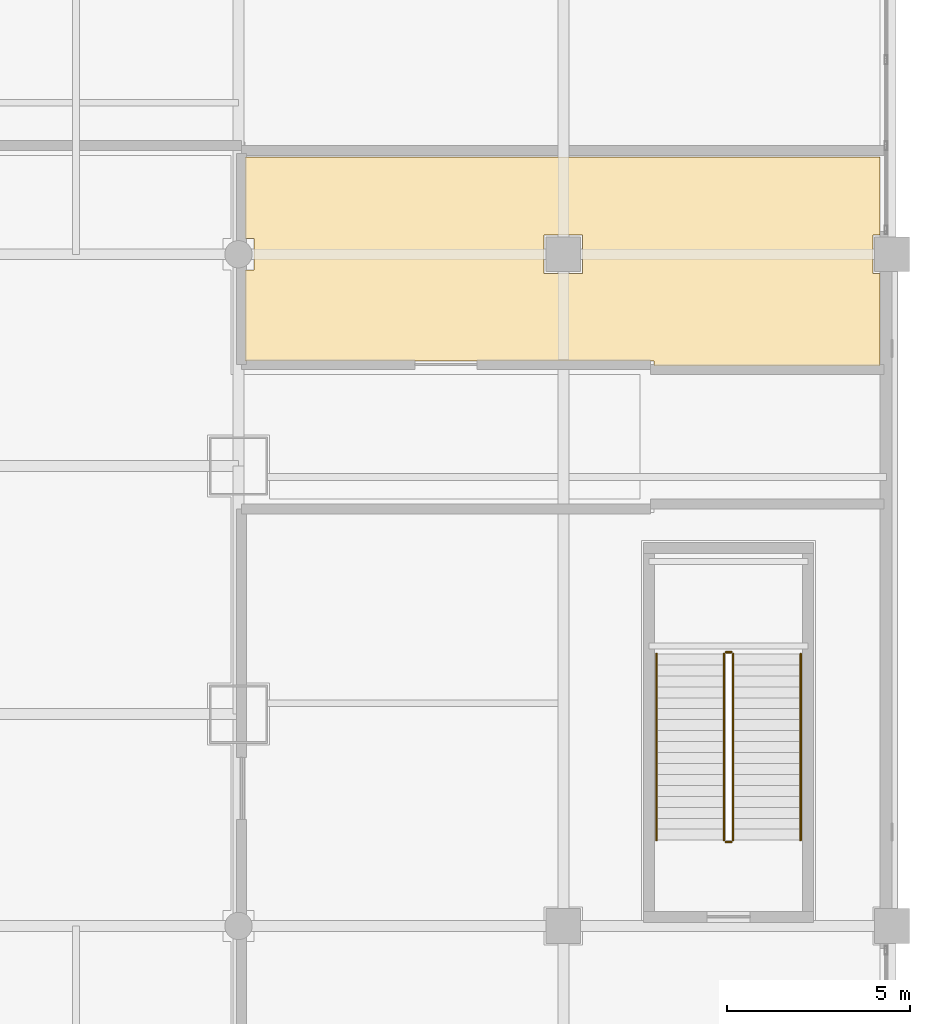
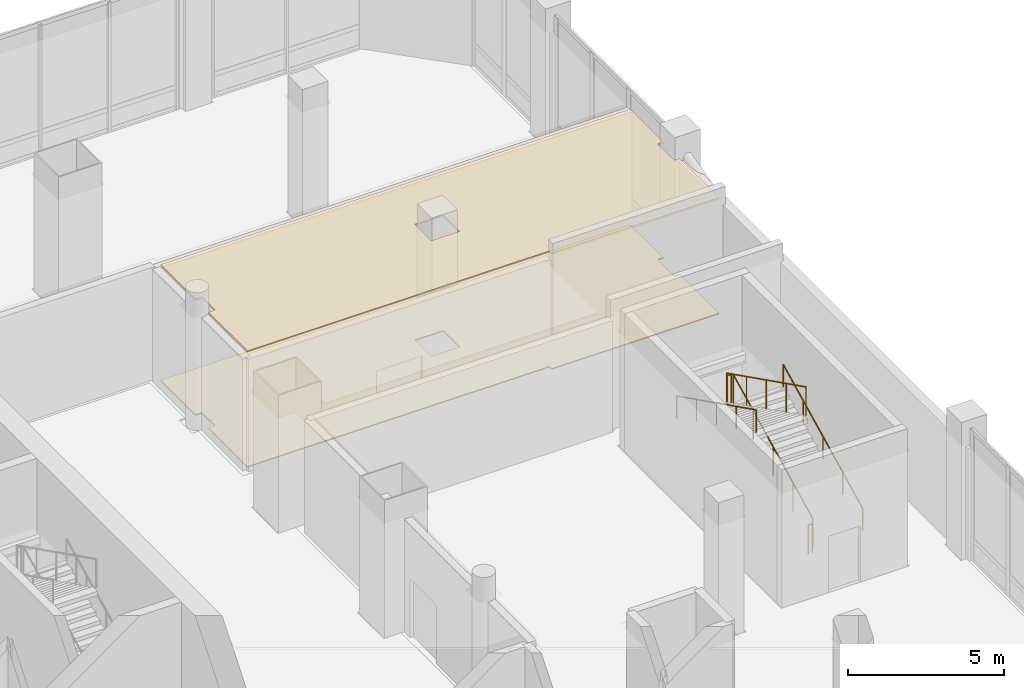
# One storey, part 39 of 39: 6 railings, 2 coverings.
"""IFC4 building model written with IfcOpenShell, lengths in metres."""

from ifc_helpers import new_model, si_unit, direction, frame, origin, origin_2d, place, context, subcontext, project, spatial, polyline, circle, outline, extrude, material, layer, layer_set, type_object, element, save


model = new_model("IFC4")

# Units and contexts
model_context = context("Model", 3, precision=1e-05, world=origin(), true_north=direction((0.0, 1.0)))
body_context = subcontext(model_context, "Body", "Model", "MODEL_VIEW")
ifc_project = project(units=[si_unit("LENGTHUNIT", "METRE"), si_unit("AREAUNIT", "SQUARE_METRE"), si_unit("VOLUMEUNIT", "CUBIC_METRE"), si_unit("PLANEANGLEUNIT", "RADIAN"), si_unit("MASSUNIT", "GRAM", prefix="KILO")], contexts=[model_context])

# Site, building, storey
site_placement = place(None, origin())
site = spatial("IfcSite", under=ifc_project, at=site_placement, CompositionType="ELEMENT")
building_placement = place(site_placement, origin())
building = spatial("IfcBuilding", under=site, at=building_placement, Name="Punatoya Terracotta Tower", CompositionType="ELEMENT")
storey_placement = place(building_placement, frame((0.0, 0.0, 11.39990234375)))
storey = spatial("IfcBuildingStorey", under=building, at=storey_placement, Name="L02", CompositionType="ELEMENT", Elevation=11.39990234375)

# Coverings
ifc_material_1 = material(Name="Acoustic Mineral Fibre Ceiling")
ifc_layer_1 = layer(ifc_material_1, 0.06005859375)
ifc_layer_set_1 = layer_set([ifc_layer_1], Name="Acoustic Mineral Fibre Ceiling")
covering_type_1 = type_object("IfcCoveringType", Name="COV-CEIL-60", PredefinedType="CEILING", material=ifc_layer_set_1)
covering_1_placement = place(storey_placement, frame((0.0, 0.0, 4.510009765625)))
element("IfcCovering", 1, at=covering_1_placement, inside=storey, type_object=covering_type_1, Name="L02 East Private Dining Lounge Acoustic Ceiling", PredefinedType="CEILING", context=body_context, shape_type="SweptSolid", body=[
    extrude(outline(polyline([(36.47509765625, 8.675048828125), (36.47509765625, 9.72509765625), (36.679931640625, 9.72509765625), (36.679931640625, 11.860107421875), (19.280029296875, 11.860107421875), (19.280029296875, 9.625), (19.52490234375, 9.625), (19.52490234375, 8.77490234375), (19.280029296875, 8.77490234375), (19.280029296875, 6.280029296875), (30.47998046875, 6.280029296875), (30.47998046875, 6.139892578125), (36.679931640625, 6.139892578125), (36.679931640625, 8.675048828125), (36.47509765625, 8.675048828125)]), holes=[polyline([(28.52490234375, 8.675048828125), (27.47509765625, 8.675048828125), (27.47509765625, 9.72509765625), (28.52490234375, 9.72509765625), (28.52490234375, 8.675048828125)])]), origin(), (0.0, 0.0, 1.0), 0.06005859375),
])
ifc_material_2 = material(Name="Sandstone & Raised Access Flooring", Category="masonry")
ifc_layer_2 = layer(ifc_material_2, 0.080078125)
ifc_layer_set_2 = layer_set([ifc_layer_2], Name="Sandstone & Raised Access Flooring")
covering_type_2 = type_object("IfcCoveringType", Name="COV-FLR-80", PredefinedType="FLOORING", material=ifc_layer_set_2)
covering_2_placement = place(storey_placement, origin())
element("IfcCovering", 2, at=covering_2_placement, inside=storey, type_object=covering_type_2, Name="L02 East Private Dining Lounge Stone Floor Finish", PredefinedType="FLOORING", context=body_context, shape_type="SweptSolid", body=[
    extrude(outline(polyline([(36.47509765625, 8.675048828125), (36.47509765625, 9.72509765625), (36.679931640625, 9.72509765625), (36.679931640625, 11.860107421875), (19.280029296875, 11.860107421875), (19.280029296875, 9.625), (19.52490234375, 9.625), (19.52490234375, 8.77490234375), (19.280029296875, 8.77490234375), (19.280029296875, 6.280029296875), (30.47998046875, 6.280029296875), (30.47998046875, 6.139892578125), (36.679931640625, 6.139892578125), (36.679931640625, 8.675048828125), (36.47509765625, 8.675048828125)]), holes=[polyline([(28.52490234375, 8.675048828125), (27.47509765625, 8.675048828125), (27.47509765625, 9.72509765625), (28.52490234375, 9.72509765625), (28.52490234375, 8.675048828125)])]), origin(), (0.0, 0.0, 1.0), 0.0400390625),
])

# Railings
ifc_material_3 = material(Name="Steel S355", Category="steel")
railing_type_1 = type_object("IfcRailingType", Name="RLG-GRD-1150", PredefinedType="GUARDRAIL", material=ifc_material_3)
railing_1_placement = place(storey_placement, frame((32.64990234375, -6.85009765625, 0.150146484375)))
element("IfcRailing", 3, at=railing_1_placement, inside=storey, type_object=railing_type_1, Name="L02 ST-P2 stair guard 1", PredefinedType="GUARDRAIL", context=body_context, shape_type="SweptSolid", body=[
    extrude(circle(Radius=0.02392578125, at=origin_2d()), frame((0.0, 0.0, 1.1259765625), z_axis=(0.0, 0.894427191, 0.4472135955), x_axis=(-1.0, 0.0, 0.0)), (0.0, 0.0, 1.0), 5.7021484375),
    extrude(circle(Radius=0.02099609375, at=origin_2d()), origin(), (0.0, 0.0, 1.0), 1.101806640625),
    extrude(circle(Radius=0.02099609375, at=origin_2d()), frame((0.0, 1.27490234375, 0.637451171875)), (0.0, 0.0, 1.0), 1.101806640625),
    extrude(circle(Radius=0.02099609375, at=origin_2d()), frame((0.0, 2.550048828125, 1.27490234375)), (0.0, 0.0, 1.0), 1.101806640625),
    extrude(circle(Radius=0.02099609375, at=origin_2d()), frame((0.0, 3.8251953125, 1.91259765625)), (0.0, 0.0, 1.0), 1.101806640625),
    extrude(circle(Radius=0.02099609375, at=origin_2d()), frame((0.0, 5.10009765625, 2.550048828125)), (0.0, 0.0, 1.0), 1.101806640625),
])
railing_2_placement = place(storey_placement, frame((32.60009765625, -1.699951171875, 2.7001953125)))
element("IfcRailing", 4, at=railing_2_placement, inside=storey, type_object=railing_type_1, Name="L02 ST-P2 stair guard 2", PredefinedType="GUARDRAIL", context=body_context, shape_type="SweptSolid", body=[
    extrude(circle(Radius=0.02392578125, at=origin_2d()), frame((0.0, 0.0, 1.1259765625), z_axis=(-1.0, 0.0, 0.0), x_axis=(0.0, -1.0, 0.0)), (0.0, 0.0, 1.0), 0.150146484375),
    extrude(circle(Radius=0.02099609375, at=origin_2d()), origin(), (0.0, 0.0, 1.0), 1.101806640625),
    extrude(circle(Radius=0.02099609375, at=origin_2d()), frame((-0.150146484375, 0.0, 0.0)), (0.0, 0.0, 1.0), 1.101806640625),
])
railing_3_placement = place(storey_placement, frame((32.39990234375, -1.75, 2.85009765625)))
element("IfcRailing", 5, at=railing_3_placement, inside=storey, type_object=railing_type_1, Name="L02 ST-P2 stair guard 3", PredefinedType="GUARDRAIL", context=body_context, shape_type="SweptSolid", body=[
    extrude(circle(Radius=0.02392578125, at=origin_2d()), frame((0.0, 0.0, 1.1259765625), z_axis=(0.0, -0.894427191, 0.4472135955), x_axis=(1.0, 0.0, 0.0)), (0.0, 0.0, 1.0), 5.7021484375),
    extrude(circle(Radius=0.02099609375, at=origin_2d()), origin(), (0.0, 0.0, 1.0), 1.101806640625),
    extrude(circle(Radius=0.02099609375, at=origin_2d()), frame((0.0, -1.27490234375, 0.637451171875)), (0.0, 0.0, 1.0), 1.101806640625),
    extrude(circle(Radius=0.02099609375, at=origin_2d()), frame((0.0, -2.550048828125, 1.27490234375)), (0.0, 0.0, 1.0), 1.101806640625),
    extrude(circle(Radius=0.02099609375, at=origin_2d()), frame((0.0, -3.8251953125, 1.91259765625)), (0.0, 0.0, 1.0), 1.101806640625),
    extrude(circle(Radius=0.02099609375, at=origin_2d()), frame((0.0, -5.10009765625, 2.550048828125)), (0.0, 0.0, 1.0), 1.101806640625),
])
railing_4_placement = place(storey_placement, frame((32.60009765625, -6.89990234375, 0.0)))
element("IfcRailing", 6, at=railing_4_placement, inside=storey, type_object=railing_type_1, Name="L02 ST-P2 stair guard 4", PredefinedType="GUARDRAIL", context=body_context, shape_type="SweptSolid", body=[
    extrude(circle(Radius=0.02392578125, at=origin_2d()), frame((0.0, 0.0, 1.1259765625), z_axis=(-1.0, 0.0, 0.0), x_axis=(0.0, -1.0, 0.0)), (0.0, 0.0, 1.0), 0.150146484375),
    extrude(circle(Radius=0.02099609375, at=origin_2d()), origin(), (0.0, 0.0, 1.0), 1.101806640625),
    extrude(circle(Radius=0.02099609375, at=origin_2d()), frame((-0.150146484375, 0.0, 0.0)), (0.0, 0.0, 1.0), 1.101806640625),
])
railing_type_2 = type_object("IfcRailingType", Name="RLG-HND-900", PredefinedType="HANDRAIL", material=ifc_material_3)
railing_5_placement = place(storey_placement, frame((34.5, -6.85009765625, 0.150146484375)))
element("IfcRailing", 7, at=railing_5_placement, inside=storey, type_object=railing_type_2, Name="L02 ST-P2 stair handrail 1", PredefinedType="HANDRAIL", context=body_context, shape_type="SweptSolid", body=[
    extrude(circle(Radius=0.02392578125, at=origin_2d()), frame((0.0, 0.0, 0.8759765625), z_axis=(0.0, 0.894427191, 0.4472135955), x_axis=(-1.0, 0.0, 0.0)), (0.0, 0.0, 1.0), 5.7021484375),
    extrude(circle(Radius=0.02099609375, at=origin_2d()), origin(), (0.0, 0.0, 1.0), 0.851806640625),
    extrude(circle(Radius=0.02099609375, at=origin_2d()), frame((0.0, 1.27490234375, 0.637451171875)), (0.0, 0.0, 1.0), 0.851806640625),
    extrude(circle(Radius=0.02099609375, at=origin_2d()), frame((0.0, 2.550048828125, 1.27490234375)), (0.0, 0.0, 1.0), 0.851806640625),
    extrude(circle(Radius=0.02099609375, at=origin_2d()), frame((0.0, 3.8251953125, 1.91259765625)), (0.0, 0.0, 1.0), 0.851806640625),
    extrude(circle(Radius=0.02099609375, at=origin_2d()), frame((0.0, 5.10009765625, 2.550048828125)), (0.0, 0.0, 1.0), 0.851806640625),
])
railing_6_placement = place(storey_placement, frame((30.550048828125, -1.75, 2.85009765625)))
element("IfcRailing", 8, at=railing_6_placement, inside=storey, type_object=railing_type_2, Name="L02 ST-P2 stair handrail 2", PredefinedType="HANDRAIL", context=body_context, shape_type="SweptSolid", body=[
    extrude(circle(Radius=0.02392578125, at=origin_2d()), frame((0.0, 0.0, 0.8759765625), z_axis=(0.0, -0.894427191, 0.4472135955), x_axis=(1.0, 0.0, 0.0)), (0.0, 0.0, 1.0), 5.7021484375),
    extrude(circle(Radius=0.02099609375, at=origin_2d()), origin(), (0.0, 0.0, 1.0), 0.851806640625),
    extrude(circle(Radius=0.02099609375, at=origin_2d()), frame((0.0, -1.27490234375, 0.637451171875)), (0.0, 0.0, 1.0), 0.851806640625),
    extrude(circle(Radius=0.02099609375, at=origin_2d()), frame((0.0, -2.550048828125, 1.27490234375)), (0.0, 0.0, 1.0), 0.851806640625),
    extrude(circle(Radius=0.02099609375, at=origin_2d()), frame((0.0, -3.8251953125, 1.91259765625)), (0.0, 0.0, 1.0), 0.851806640625),
    extrude(circle(Radius=0.02099609375, at=origin_2d()), frame((0.0, -5.10009765625, 2.550048828125)), (0.0, 0.0, 1.0), 0.851806640625),
])

save(model, "model.ifc")
